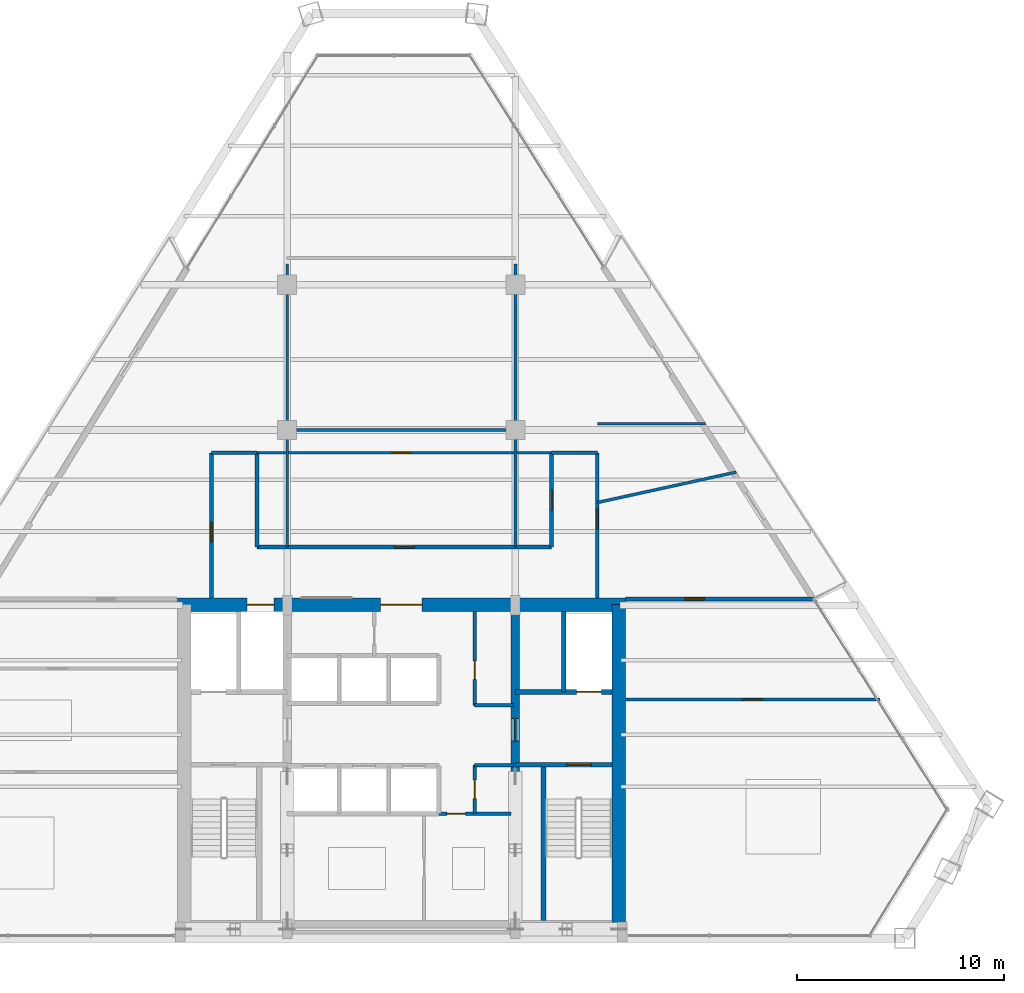
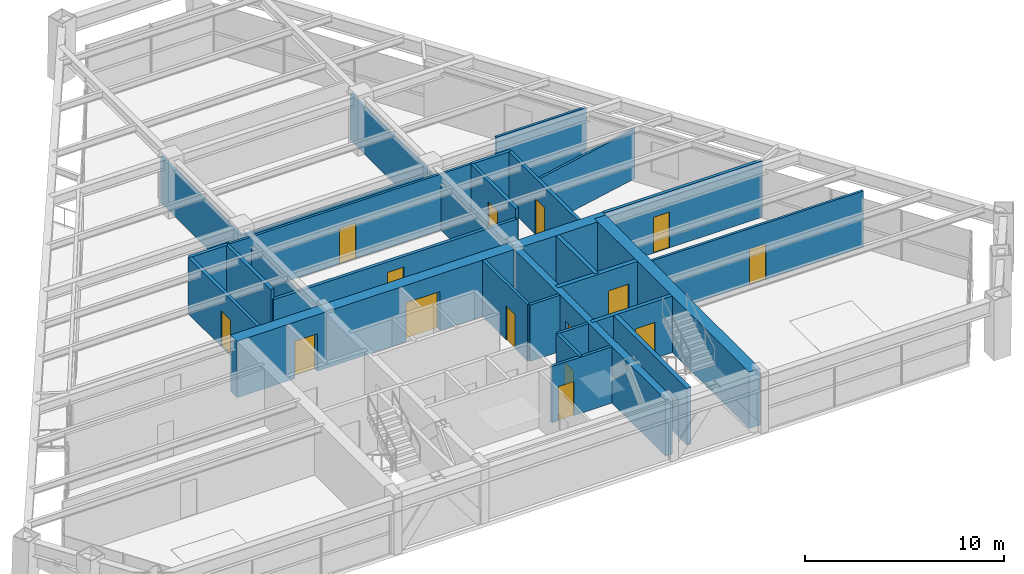
# One storey, part 12 of 15: 27 walls, 15 doors, 15 openings.
"""IFC4 building model written with IfcOpenShell, lengths in metres."""

import ifcopenshell
import ifcopenshell.guid

model = None  # the IFC model being written
_history = None  # IfcOwnerHistory: only IFC2X3 demands one
_inside = {}  # id of a spatial element -> (the spatial element, [elements in it])
_under = {}  # id of a project, library or spatial element -> (it, [spatial elements below it])
_declared = {}  # id of a project -> (the project, [libraries it declares])
_typed = {}  # id of a type object -> (the type object, [elements of that type])
_made_of = {}  # id of a material, layer set ... -> (it, [elements and type objects made of it])


def new_model(schema):
    """Start an empty IFC model of exactly this schema.

    Asked for "IFC4X3", IfcOpenShell would pick the latest addendum, in which some entities
    have other attributes; the version numbers below select the first issue.
    IFC2X3 requires an IfcOwnerHistory on every rooted entity: one is made here for all.
    """
    global model, _history
    if schema == "IFC4X3":
        model = ifcopenshell.file(schema_version=(4, 3, 0, 0))
    else:
        model = ifcopenshell.file(schema=schema)
    _inside.clear()
    _under.clear()
    _declared.clear()
    _typed.clear()
    _made_of.clear()
    _history = None
    if model.schema == "IFC2X3":
        org = make("IfcOrganization", Name="unknown")
        user = make(
            "IfcPersonAndOrganization",
            ThePerson=make("IfcPerson", FamilyName="unknown"),
            TheOrganization=org,
        )
        app = make(
            "IfcApplication",
            ApplicationDeveloper=org,
            Version="unknown",
            ApplicationFullName="unknown",
            ApplicationIdentifier="unknown",
        )
        _history = make(
            "IfcOwnerHistory",
            OwningUser=user,
            OwningApplication=app,
            ChangeAction="ADDED",
            CreationDate=0,
        )
    return model


def make(cls, **values):
    """One entity of the class cls with the attributes given. An attribute that is None is left unset."""
    return model.create_entity(
        cls, **{name: value for name, value in values.items() if value is not None}
    )


def rooted(cls, **values):
    """An entity with a GlobalId (a new one), such as an element, a storey or a relation."""
    return make(cls, GlobalId=ifcopenshell.guid.new(), OwnerHistory=_history, **values)


def si_unit(unit_type, name, prefix=None):
    """IfcSIUnit, for example si_unit("LENGTHUNIT", "METRE", prefix="MILLI")."""
    return make("IfcSIUnit", UnitType=unit_type, Prefix=prefix, Name=name)


def assignment(units):
    """IfcUnitAssignment: the units of a project."""
    return None if units is None else make("IfcUnitAssignment", Units=units)


def point(xyz):
    """IfcCartesianPoint."""
    return None if xyz is None else make("IfcCartesianPoint", Coordinates=xyz)


def direction(xyz):
    """IfcDirection."""
    return None if xyz is None else make("IfcDirection", DirectionRatios=xyz)


def frame(location, z_axis=None, x_axis=None):
    """IfcAxis2Placement3D, a coordinate frame: its origin and axes. An axis left out is left unset."""
    return make(
        "IfcAxis2Placement3D",
        Location=point(location),
        Axis=direction(z_axis),
        RefDirection=direction(x_axis),
    )


def frame_2d(location, x_axis=None):
    """IfcAxis2Placement2D, a coordinate frame in the plane: its origin and x axis."""
    return make(
        "IfcAxis2Placement2D", Location=point(location), RefDirection=direction(x_axis)
    )


def origin():
    """The frame at (0, 0, 0) with its axes left unset."""
    return frame((0.0, 0.0, 0.0))


def place(relative_to, where):
    """IfcLocalPlacement: puts the frame where relative to a parent placement (None: the world)."""
    return make(
        "IfcLocalPlacement", PlacementRelTo=relative_to, RelativePlacement=where
    )


def context(
    kind, dimensions, precision=None, world=None, true_north=None, identifier=None
):
    """IfcGeometricRepresentationContext, for example the 3D "Model" context."""
    return make(
        "IfcGeometricRepresentationContext",
        ContextIdentifier=identifier,
        ContextType=kind,
        CoordinateSpaceDimension=dimensions,
        Precision=precision,
        WorldCoordinateSystem=world,
        TrueNorth=true_north,
    )


def subcontext(parent, identifier, kind, view, scale=None):
    """IfcGeometricRepresentationSubContext, for example "Body" below "Model"."""
    return make(
        "IfcGeometricRepresentationSubContext",
        ContextIdentifier=identifier,
        ContextType=kind,
        ParentContext=parent,
        TargetScale=scale,
        TargetView=view,
    )


def project(units=None, contexts=None):
    """IfcProject with its units and contexts."""
    return rooted(
        "IfcProject",
        Name="project",
        RepresentationContexts=contexts,
        UnitsInContext=assignment(units),
    )


def spatial(cls, under=None, at=None, **own):
    """A site, building, storey or space (cls), placed at a placement, below another one or the project."""
    s = rooted(cls, ObjectPlacement=at, **own)
    if under is not None:
        _under.setdefault(under.id(), (under, []))[1].append(s)
    return s


def profile(cls, at=None, kind="AREA", **sizes):
    """A parametric profile (cls). Its sizes go by their IFC names, for example OverallWidth=200.0."""
    return make(cls, ProfileType=kind, Position=at, **sizes)


def rectangle(**sizes):
    """IfcRectangleProfileDef."""
    return profile("IfcRectangleProfileDef", **sizes)


def extrude(swept, where, along, depth):
    """IfcExtrudedAreaSolid: the profile swept, set in the frame where, extruded along a direction by depth."""
    return make(
        "IfcExtrudedAreaSolid",
        SweptArea=swept,
        Position=where,
        ExtrudedDirection=direction(along),
        Depth=depth,
    )


def shape(context_of_items, identifier, shape_type, items):
    """IfcShapeRepresentation: the items that make up one representation, for example the "Body"."""
    return make(
        "IfcShapeRepresentation",
        ContextOfItems=context_of_items,
        RepresentationIdentifier=identifier,
        RepresentationType=shape_type,
        Items=items,
    )


def source(mapping_origin, context_of_items, identifier, shape_type, items):
    """IfcRepresentationMap: a shape defined once, which mapped items show again and again."""
    return make(
        "IfcRepresentationMap",
        MappingOrigin=mapping_origin,
        MappedRepresentation=shape(context_of_items, identifier, shape_type, items),
    )


def transform(
    local_origin,
    x_axis=None,
    y_axis=None,
    z_axis=None,
    scale=None,
    scale2=None,
    scale3=None,
    uniform=True,
):
    """IfcCartesianTransformationOperator3D, or its non-uniform kind. x_axis, y_axis, z_axis: its Axis1, 2, 3."""
    if uniform:
        return make(
            "IfcCartesianTransformationOperator3D",
            Axis1=direction(x_axis),
            Axis2=direction(y_axis),
            LocalOrigin=point(local_origin),
            Scale=scale,
            Axis3=direction(z_axis),
        )
    return make(
        "IfcCartesianTransformationOperator3DnonUniform",
        Axis1=direction(x_axis),
        Axis2=direction(y_axis),
        LocalOrigin=point(local_origin),
        Scale=scale,
        Axis3=direction(z_axis),
        Scale2=scale2,
        Scale3=scale3,
    )


def mapped(mapping_source, mapping_target):
    """IfcMappedItem: shows the shape of a source again, moved by a transform."""
    return make(
        "IfcMappedItem", MappingSource=mapping_source, MappingTarget=mapping_target
    )


def material(Name=None, Category=None):
    """IfcMaterial."""
    return make("IfcMaterial", Name=Name, Category=Category)


def layer(
    of_material, thickness, ventilated=None, Name=None, Category=None, Priority=None
):
    """IfcMaterialLayer: one layer of a wall or slab, of a material (None: an air gap)."""
    return make(
        "IfcMaterialLayer",
        Material=of_material,
        LayerThickness=thickness,
        IsVentilated=ventilated,
        Name=Name,
        Category=Category,
        Priority=Priority,
    )


def layer_set(layers, Name=None):
    """IfcMaterialLayerSet."""
    return make("IfcMaterialLayerSet", MaterialLayers=layers, LayerSetName=Name)


def made_of(thing, what):
    """Note that an element or type object is made of a material, layer set ...; save() writes the relation."""
    if what is not None:
        _made_of.setdefault(what.id(), (what, []))[1].append(thing)
    return thing


def type_object(cls, material=None, **own):
    """A type object (cls), such as IfcWallType, which elements share."""
    return made_of(rooted(cls, **own), material)


def type_shapes(of_type, sources):
    """Give a type object the sources (RepresentationMaps) that its elements show as mapped items."""
    of_type.RepresentationMaps = sources


def element(
    cls,
    number,
    at=None,
    inside=None,
    cuts=None,
    type_object=None,
    material=None,
    context=None,
    identifier="Body",
    shape_type=None,
    held_by="IfcProductDefinitionShape",
    body=None,
    shapes=None,
    **own,
):
    """One element of the class cls, such as IfcWall. Its Tag is "e" and its number.

    at: its placement. inside: the storey or other place that contains it. cuts: it is an
    opening in that element (IfcRelVoidsElement). A single representation is given by context,
    identifier, shape_type and body (its items); several are given by shapes. held_by: the class
    of the entity that holds the representations. save() writes the other relations.
    """
    e = rooted(cls, Tag="e%d" % number, ObjectPlacement=at, **own)
    if body is not None:
        shapes = [shape(context, identifier, shape_type, body)]
    if shapes is not None:
        e.Representation = make(held_by, Representations=shapes)
    if inside is not None:
        _inside.setdefault(inside.id(), (inside, []))[1].append(e)
    if cuts is not None:
        rooted(
            "IfcRelVoidsElement", RelatingBuildingElement=cuts, RelatedOpeningElement=e
        )
    if type_object is not None:
        _typed.setdefault(type_object.id(), (type_object, []))[1].append(e)
    return made_of(e, material)


def fill(opening, filler):
    """IfcRelFillsElement: the door or window that sits in an opening."""
    return rooted(
        "IfcRelFillsElement",
        RelatingOpeningElement=opening,
        RelatedBuildingElement=filler,
    )


def aggregate(whole, parts):
    """IfcRelAggregates: a whole, such as a stair, and the parts it consists of."""
    return rooted("IfcRelAggregates", RelatingObject=whole, RelatedObjects=parts)


def save(model, path):
    """Write the relations noted so far, then the file.

    IfcRelAggregates (storeys below a building ...), IfcRelContainedInSpatialStructure (elements
    in a storey), IfcRelDefinesByType, IfcRelAssociatesMaterial and IfcRelDeclares: one each for
    every whole, place, type object, material and project.
    """
    for whole, parts in _under.values():
        aggregate(whole, parts)
    for where, things in _inside.values():
        rooted(
            "IfcRelContainedInSpatialStructure",
            RelatedElements=things,
            RelatingStructure=where,
        )
    for kind, things in _typed.values():
        rooted("IfcRelDefinesByType", RelatedObjects=things, RelatingType=kind)
    for what, things in _made_of.values():
        rooted("IfcRelAssociatesMaterial", RelatedObjects=things, RelatingMaterial=what)
    for by, libraries in _declared.values():
        rooted("IfcRelDeclares", RelatingContext=by, RelatedDefinitions=libraries)
    model.write(path)


model = new_model("IFC4")

# Units and contexts
model_context = context("Model", 3, precision=1e-05, world=origin(), true_north=direction((0.0, 1.0)))
body_context = subcontext(model_context, "Body", "Model", "MODEL_VIEW")
ifc_project = project(units=[si_unit("LENGTHUNIT", "METRE"), si_unit("AREAUNIT", "SQUARE_METRE"), si_unit("VOLUMEUNIT", "CUBIC_METRE"), si_unit("PLANEANGLEUNIT", "RADIAN"), si_unit("MASSUNIT", "GRAM", prefix="KILO")], contexts=[model_context])

# Site, building, storey
site_placement = place(None, origin())
site = spatial("IfcSite", under=ifc_project, at=site_placement, CompositionType="ELEMENT")
building_placement = place(site_placement, origin())
building = spatial("IfcBuilding", under=site, at=building_placement, Name="Varnakhor Terracotta Tower", CompositionType="ELEMENT")
storey_placement = place(building_placement, frame((0.0, 0.0, 193.199951171875)))
storey = spatial("IfcBuildingStorey", under=building, at=storey_placement, Name="L49", CompositionType="ELEMENT", Elevation=193.199951171875)

# Wall, openings, doors
ifc_material_1 = material(Name="Concrete C50/60", Category="concrete")
ifc_layer_1 = layer(ifc_material_1, 0.64990234375, Name="Concrete C50/60")
ifc_layer_set_1 = layer_set([ifc_layer_1], Name="Concrete C50/60")
wall_type_1 = type_object("IfcWallType", Name="WAL-CORE-650", PredefinedType="SHEAR", material=ifc_layer_set_1)
wall_1_placement = place(storey_placement, frame((-10.800048828125, 16.074951171875, 0.0), z_axis=(0.0, 0.0, 1.0), x_axis=(1.0, 0.0, 0.0)))
wall_1 = element("IfcWall", 1, at=wall_1_placement, inside=storey, type_object=wall_type_1, Name="L49 North Core Shear Wall", PredefinedType="SHEAR", context=body_context, shape_type="SweptSolid", body=[
    extrude(rectangle(XDim=21.60009765625, YDim=0.64990234375, at=frame_2d((10.800048828125, 0.0))), origin(), (0.0, 0.0, 1.0), 3.469970703125),
])
opening_1_placement = place(wall_1_placement, frame((3.3701171875, 0.0, 0.0)))
opening_1 = element("IfcOpeningElement", 2, at=opening_1_placement, cuts=wall_1, Name="Opening LD-03", PredefinedType="OPENING", context=body_context, shape_type="SweptSolid", body=[
    extrude(rectangle(XDim=1.300048828125, YDim=2.300048828125, at=frame_2d((0.64990234375, 1.14990234375))), frame((0.0, 0.3349609375, 0.0), z_axis=(0.0, -1.0, 0.0), x_axis=(1.0, 0.0, 0.0)), (0.0, 0.0, 1.0), 0.669921875),
])
opening_2_placement = place(wall_1_placement, frame((9.800048828125, 0.0, 0.0)))
opening_2 = element("IfcOpeningElement", 3, at=opening_2_placement, cuts=wall_1, Name="Opening DR-32", PredefinedType="OPENING", context=body_context, shape_type="SweptSolid", body=[
    extrude(rectangle(XDim=2.0, YDim=2.39990234375, at=frame_2d((1.0, 1.199951171875))), frame((0.0, 0.3349609375, 0.0), z_axis=(0.0, -1.0, 0.0), x_axis=(1.0, 0.0, 0.0)), (0.0, 0.0, 1.0), 0.669921875),
])
ifc_material_2 = material(Name="Heavy-Duty Goods Sliding Lift Landing Door", Category="steel")
door_type_1 = type_object("IfcDoorType", Name="LD-SRV-1300X2300", OperationType="NOTDEFINED", PredefinedType="DOOR", material=ifc_material_2)
shared_shape_1 = source(origin(), body_context, "Body", "SweptSolid", [
    extrude(rectangle(XDim=1.300048828125, YDim=2.300048828125, at=frame_2d((0.64990234375, 1.14990234375))), frame((0.0, 0.02490234375, 0.0), z_axis=(0.0, -1.0, 0.0), x_axis=(1.0, 0.0, 0.0)), (0.0, 0.0, 1.0), 0.050048828125),
])
type_shapes(door_type_1, [shared_shape_1])
door_1_placement = place(opening_1_placement, origin())
door_1 = element("IfcDoor", 4, at=door_1_placement, inside=storey, type_object=door_type_1, Name="L49 Service Lift SVL-1 Landing Door", OperationType="SLIDING_TO_RIGHT", OverallHeight=2.300048828125, OverallWidth=1.300048828125, PredefinedType="DOOR", context=body_context, shape_type="MappedRepresentation", body=[
    mapped(shared_shape_1, transform((0.0, 0.0, 0.0), scale=1.0)),
])
fill(opening_1, door_1)
ifc_material_3 = material(Name="Acoustic Double Assembly Fire Door", Category="wood")
door_type_2 = type_object("IfcDoorType", Name="DR-HALL-2000X2400", OperationType="NOTDEFINED", PredefinedType="DOOR", material=ifc_material_3)
shared_shape_2 = source(origin(), body_context, "Body", "SweptSolid", [
    extrude(rectangle(XDim=2.0, YDim=2.39990234375, at=frame_2d((1.0, 1.199951171875))), frame((0.0, 0.02490234375, 0.0), z_axis=(0.0, -1.0, 0.0), x_axis=(1.0, 0.0, 0.0)), (0.0, 0.0, 1.0), 0.050048828125),
])
type_shapes(door_type_2, [shared_shape_2])
door_2_placement = place(opening_2_placement, origin())
door_2 = element("IfcDoor", 5, at=door_2_placement, inside=storey, type_object=door_type_2, Name="L49 Core Main Lobby Double Door", OperationType="DOUBLE_DOOR_SINGLE_SWING", OverallHeight=2.39990234375, OverallWidth=2.0, PredefinedType="DOOR", context=body_context, shape_type="MappedRepresentation", body=[
    mapped(shared_shape_2, transform((0.0, 0.0, 0.0), scale=1.0)),
])
fill(opening_2, door_2)

# Wall
wall_2_placement = place(storey_placement, frame((10.47509765625, 0.52490234375, 0.0), z_axis=(0.0, 0.0, 1.0), x_axis=(0.0, 1.0, 0.0)))
element("IfcWall", 6, at=wall_2_placement, inside=storey, type_object=wall_type_1, Name="L49 East Core Shear Wall", PredefinedType="SHEAR", context=body_context, shape_type="SweptSolid", body=[
    extrude(rectangle(XDim=15.550048828125, YDim=0.64990234375, at=frame_2d((7.77490234375, 0.0))), origin(), (0.0, 0.0, 1.0), 3.469970703125),
])

# Wall, opening, door
ifc_layer_2 = layer(ifc_material_1, 0.39990234375, Name="Concrete C50/60")
ifc_layer_set_2 = layer_set([ifc_layer_2], Name="Concrete C50/60")
wall_type_2 = type_object("IfcWallType", Name="WAL-CORE-WEB-400", PredefinedType="SHEAR", material=ifc_layer_set_2)
wall_3_placement = place(storey_placement, frame((5.5, 0.52490234375, 0.0), z_axis=(0.0, 0.0, 1.0), x_axis=(0.0, 1.0, 0.0)))
wall_3 = element("IfcWall", 7, at=wall_3_placement, inside=storey, type_object=wall_type_2, Name="L49 East Core Web Shear Wall", PredefinedType="SHEAR", context=body_context, shape_type="SweptSolid", body=[
    extrude(rectangle(XDim=15.550048828125, YDim=0.39990234375, at=frame_2d((7.77490234375, 0.0))), origin(), (0.0, 0.0, 1.0), 3.469970703125),
])
opening_3_placement = place(wall_3_placement, frame((8.97509765625, 0.0, 0.0)))
opening_3 = element("IfcOpeningElement", 8, at=opening_3_placement, cuts=wall_3, Name="Opening DR-25", PredefinedType="OPENING", context=body_context, shape_type="SweptSolid", body=[
    extrude(rectangle(XDim=1.10009765625, YDim=2.199951171875, at=frame_2d((0.550048828125, 1.10009765625))), frame((0.0, 0.2099609375, 0.0), z_axis=(0.0, -1.0, 0.0), x_axis=(1.0, 0.0, 0.0)), (0.0, 0.0, 1.0), 0.419921875),
])
ifc_material_4 = material(Name="Firefighting Lobby Self-Closing Fire Door", Category="steel")
door_type_3 = type_object("IfcDoorType", Name="DR-FFL-1100X2200", OperationType="NOTDEFINED", PredefinedType="DOOR", material=ifc_material_4)
shared_shape_3 = source(origin(), body_context, "Body", "SweptSolid", [
    extrude(rectangle(XDim=1.10009765625, YDim=2.199951171875, at=frame_2d((0.550048828125, 1.10009765625))), frame((0.0, 0.02490234375, 0.0), z_axis=(0.0, -1.0, 0.0), x_axis=(1.0, 0.0, 0.0)), (0.0, 0.0, 1.0), 0.050048828125),
])
type_shapes(door_type_3, [shared_shape_3])
door_3_placement = place(opening_3_placement, origin())
door_3 = element("IfcDoor", 9, at=door_3_placement, inside=storey, type_object=door_type_3, Name="L49 East Firefighting Lobby Door", OperationType="SINGLE_SWING_LEFT", OverallHeight=2.199951171875, OverallWidth=1.10009765625, PredefinedType="DOOR", context=body_context, shape_type="MappedRepresentation", body=[
    mapped(shared_shape_3, transform((0.0, 0.0, 0.0), scale=1.0)),
])
fill(opening_3, door_3)

ifc_material_5 = material(Name="Fire-Rated Gypsum Stud Partition", Category="gypsum")
ifc_layer_3 = layer(ifc_material_5, 0.18505859375, Name="Fire-Rated Gypsum Stud Partition")
ifc_layer_set_3 = layer_set([ifc_layer_3], Name="Fire-Rated Gypsum Stud Partition")
wall_type_3 = type_object("IfcWallType", Name="WAL-CORR-185", PredefinedType="PARTITIONING", material=ifc_layer_set_3)
wall_4_placement = place(storey_placement, frame((-6.949951171875, 18.85009765625, 0.0), z_axis=(0.0, 0.0, 1.0), x_axis=(1.0, 0.0, 0.0)))
wall_4 = element("IfcWall", 10, at=wall_4_placement, inside=storey, type_object=wall_type_3, Name="L49 Central Gallery Link Wall", PredefinedType="PARTITIONING", context=body_context, shape_type="SweptSolid", body=[
    extrude(rectangle(XDim=14.199951171875, YDim=0.18505859375, at=frame_2d((7.10009765625, 0.0))), origin(), (0.0, 0.0, 1.0), 2.845947265625),
])
opening_4_placement = place(wall_4_placement, frame((6.625, 0.0, 0.0)))
opening_4 = element("IfcOpeningElement", 11, at=opening_4_placement, cuts=wall_4, Name="Opening DR-94", PredefinedType="OPENING", context=body_context, shape_type="SweptSolid", body=[
    extrude(rectangle(XDim=0.949951171875, YDim=2.199951171875, at=frame_2d((0.47509765625, 1.10009765625))), frame((0.0, 0.1025390625, 0.0), z_axis=(0.0, -1.0, 0.0), x_axis=(1.0, 0.0, 0.0)), (0.0, 0.0, 1.0), 0.205078125),
])
ifc_material_6 = material(Name="Acoustic Glazed-Vision Timber Office Door", Category="wood")
door_type_4 = type_object("IfcDoorType", Name="DR-OFF-950X2200", OperationType="NOTDEFINED", PredefinedType="DOOR", material=ifc_material_6)
shared_shape_4 = source(origin(), body_context, "Body", "SweptSolid", [
    extrude(rectangle(XDim=0.949951171875, YDim=2.199951171875, at=frame_2d((0.47509765625, 1.10009765625))), frame((0.0, 0.02490234375, 0.0), z_axis=(0.0, -1.0, 0.0), x_axis=(1.0, 0.0, 0.0)), (0.0, 0.0, 1.0), 0.050048828125),
])
type_shapes(door_type_4, [shared_shape_4])
door_4_placement = place(opening_4_placement, origin())
door_4 = element("IfcDoor", 12, at=door_4_placement, inside=storey, type_object=door_type_4, Name="L49 Center Suite Door", OperationType="SINGLE_SWING_LEFT", OverallHeight=2.199951171875, OverallWidth=0.949951171875, PredefinedType="DOOR", context=body_context, shape_type="MappedRepresentation", body=[
    mapped(shared_shape_4, transform((0.0, 0.0, 0.0), scale=1.0)),
])
fill(opening_4, door_4)

# Wall
wall_5_placement = place(storey_placement, frame((-6.949951171875, 18.85009765625, 0.0), z_axis=(0.0, 0.0, 1.0), x_axis=(0.0, 1.0, 0.0)))
element("IfcWall", 13, at=wall_5_placement, inside=storey, type_object=wall_type_3, Name="L49 West Gallery Inner Wall", PredefinedType="PARTITIONING", context=body_context, shape_type="SweptSolid", body=[
    extrude(rectangle(XDim=4.5498046875, YDim=0.18505859375, at=frame_2d((2.27490234375, 0.0))), origin(), (0.0, 0.0, 1.0), 3.462158203125),
])

# Wall, opening, door
wall_6_placement = place(storey_placement, frame((7.25, 18.85009765625, 0.0), z_axis=(0.0, 0.0, 1.0), x_axis=(0.0, 1.0, 0.0)))
wall_6 = element("IfcWall", 14, at=wall_6_placement, inside=storey, type_object=wall_type_3, Name="L49 East Gallery Inner Wall", PredefinedType="PARTITIONING", context=body_context, shape_type="SweptSolid", body=[
    extrude(rectangle(XDim=4.5498046875, YDim=0.18505859375, at=frame_2d((2.27490234375, 0.0))), origin(), (0.0, 0.0, 1.0), 3.462158203125),
])
opening_5_placement = place(wall_6_placement, frame((1.800048828125, 0.0, 0.0)))
opening_5 = element("IfcOpeningElement", 15, at=opening_5_placement, cuts=wall_6, Name="Opening DR-94", PredefinedType="OPENING", context=body_context, shape_type="SweptSolid", body=[
    extrude(rectangle(XDim=0.949951171875, YDim=2.199951171875, at=frame_2d((0.47509765625, 1.10009765625))), frame((0.0, 0.1025390625, 0.0), z_axis=(0.0, -1.0, 0.0), x_axis=(1.0, 0.0, 0.0)), (0.0, 0.0, 1.0), 0.205078125),
])
door_5_placement = place(opening_5_placement, origin())
door_5 = element("IfcDoor", 16, at=door_5_placement, inside=storey, type_object=door_type_4, Name="L49 Corporate Office 1 B9 Door", OperationType="SINGLE_SWING_RIGHT", OverallHeight=2.199951171875, OverallWidth=0.949951171875, PredefinedType="DOOR", context=body_context, shape_type="MappedRepresentation", body=[
    mapped(shared_shape_4, transform((0.0, 0.0, 0.0), scale=1.0)),
])
fill(opening_5, door_5)

wall_7_placement = place(storey_placement, frame((-9.14990234375, 16.39990234375, 0.0), z_axis=(0.0, 0.0, 1.0), x_axis=(0.0, 1.0, 0.0)))
wall_7 = element("IfcWall", 17, at=wall_7_placement, inside=storey, type_object=wall_type_3, Name="L49 West Gallery Outer Wall", PredefinedType="PARTITIONING", context=body_context, shape_type="SweptSolid", body=[
    extrude(rectangle(XDim=7.0, YDim=0.18505859375, at=frame_2d((3.5, 0.0))), origin(), (0.0, 0.0, 1.0), 3.462158203125),
])
opening_6_placement = place(wall_7_placement, frame((2.708984375, 0.0, 0.0)))
opening_6 = element("IfcOpeningElement", 18, at=opening_6_placement, cuts=wall_7, Name="Opening DR-94", PredefinedType="OPENING", context=body_context, shape_type="SweptSolid", body=[
    extrude(rectangle(XDim=0.949951171875, YDim=2.199951171875, at=frame_2d((0.47509765625, 1.10009765625))), frame((0.0, 0.1025390625, 0.0), z_axis=(0.0, -1.0, 0.0), x_axis=(1.0, 0.0, 0.0)), (0.0, 0.0, 1.0), 0.205078125),
])
door_6_placement = place(opening_6_placement, origin())
door_6 = element("IfcDoor", 19, at=door_6_placement, inside=storey, type_object=door_type_4, Name="L49 West Wing Door", OperationType="SINGLE_SWING_RIGHT", OverallHeight=2.199951171875, OverallWidth=0.949951171875, PredefinedType="DOOR", context=body_context, shape_type="MappedRepresentation", body=[
    mapped(shared_shape_4, transform((0.0, 0.0, 0.0), scale=1.0)),
])
fill(opening_6, door_6)

wall_8_placement = place(storey_placement, frame((9.449951171875, 16.39990234375, 0.0), z_axis=(0.0, 0.0, 1.0), x_axis=(0.0, 1.0, 0.0)))
wall_8 = element("IfcWall", 20, at=wall_8_placement, inside=storey, type_object=wall_type_3, Name="L49 East Gallery Outer Wall", PredefinedType="PARTITIONING", context=body_context, shape_type="SweptSolid", body=[
    extrude(rectangle(XDim=7.0, YDim=0.18505859375, at=frame_2d((3.5, 0.0))), origin(), (0.0, 0.0, 1.0), 3.462158203125),
])
opening_7_placement = place(wall_8_placement, frame((3.341064453125, 0.0, 0.0)))
opening_7 = element("IfcOpeningElement", 21, at=opening_7_placement, cuts=wall_8, Name="Opening DR-94", PredefinedType="OPENING", context=body_context, shape_type="SweptSolid", body=[
    extrude(rectangle(XDim=0.949951171875, YDim=2.199951171875, at=frame_2d((0.47509765625, 1.10009765625))), frame((0.0, 0.1025390625, 0.0), z_axis=(0.0, -1.0, 0.0), x_axis=(1.0, 0.0, 0.0)), (0.0, 0.0, 1.0), 0.205078125),
])
door_7_placement = place(opening_7_placement, origin())
door_7 = element("IfcDoor", 22, at=door_7_placement, inside=storey, type_object=door_type_4, Name="L49 East Wing Door", OperationType="SINGLE_SWING_LEFT", OverallHeight=2.199951171875, OverallWidth=0.949951171875, PredefinedType="DOOR", context=body_context, shape_type="MappedRepresentation", body=[
    mapped(shared_shape_4, transform((0.0, 0.0, 0.0), scale=1.0)),
])
fill(opening_7, door_7)

# Walls
for number, where, z_axis, x_axis, name in (
    (23, (-9.14990234375, 23.39990234375, 0.0), (0.0, 0.0, 1.0), (1.0, 0.0, 0.0), "L49 West Gallery North End"),
    (24, (7.25, 23.39990234375, 0.0), (0.0, 0.0, 1.0), (1.0, 0.0, 0.0), "L49 East Gallery North End"),
):
    element("IfcWall", number, at=place(storey_placement, frame(where, z_axis=z_axis, x_axis=x_axis)), inside=storey, type_object=wall_type_3, Name=name, PredefinedType="PARTITIONING", context=body_context, shape_type="SweptSolid", body=[
        extrude(rectangle(XDim=2.199951171875, YDim=0.18505859375, at=frame_2d((1.10009765625, 0.0))), origin(), (0.0, 0.0, 1.0), 3.462158203125),
    ])

# Wall, opening, door
wall_9_placement = place(storey_placement, frame((10.820068359375, 16.35009765625, 0.0), z_axis=(0.0, 0.0, 1.0), x_axis=(1.0, 0.0, 0.0)))
wall_9 = element("IfcWall", 25, at=wall_9_placement, inside=storey, type_object=wall_type_3, Name="L49 South East Entry Wall", PredefinedType="PARTITIONING", context=body_context, shape_type="SweptSolid", body=[
    extrude(rectangle(XDim=9.19873046875, YDim=0.18505859375, at=frame_2d((4.599365234375, 0.0))), origin(), (0.0, 0.0, 1.0), 3.462158203125),
])
opening_8_placement = place(wall_9_placement, frame((2.8466796875, 0.0, 0.0)))
opening_8 = element("IfcOpeningElement", 26, at=opening_8_placement, cuts=wall_9, Name="Opening DR-94", PredefinedType="OPENING", context=body_context, shape_type="SweptSolid", body=[
    extrude(rectangle(XDim=0.949951171875, YDim=2.199951171875, at=frame_2d((0.47509765625, 1.10009765625))), frame((0.0, 0.1025390625, 0.0), z_axis=(0.0, -1.0, 0.0), x_axis=(1.0, 0.0, 0.0)), (0.0, 0.0, 1.0), 0.205078125),
])
door_8_placement = place(opening_8_placement, origin())
door_8 = element("IfcDoor", 27, at=door_8_placement, inside=storey, type_object=door_type_4, Name="L49 SE Suite Door", OperationType="SINGLE_SWING_LEFT", OverallHeight=2.199951171875, OverallWidth=0.949951171875, PredefinedType="DOOR", context=body_context, shape_type="MappedRepresentation", body=[
    mapped(shared_shape_4, transform((0.0, 0.0, 0.0), scale=1.0)),
])
fill(opening_8, door_8)

ifc_material_7 = material(Name="Concrete C40/50", Category="concrete")
ifc_layer_4 = layer(ifc_material_7, 0.219970703125, Name="Concrete C40/50")
ifc_layer_set_4 = layer_set([ifc_layer_4], Name="Concrete C40/50")
wall_type_4 = type_object("IfcWallType", Name="WAL-FFLOBBY-220", PredefinedType="SOLIDWALL", material=ifc_layer_set_4)
wall_10_placement = place(storey_placement, frame((10.14990234375, 8.35009765625, 0.0), z_axis=(0.0, 0.0, 1.0), x_axis=(-1.0, 0.0, 0.0)))
wall_10 = element("IfcWall", 28, at=wall_10_placement, inside=storey, type_object=wall_type_4, Name="L49 East Firefighting Lobby Stair Wall", PredefinedType="SOLIDWALL", context=body_context, shape_type="SweptSolid", body=[
    extrude(rectangle(XDim=4.64990234375, YDim=0.219970703125, at=frame_2d((2.324951171875, 0.0))), origin(), (0.0, 0.0, 1.0), 3.469970703125),
])
opening_9_placement = place(wall_10_placement, frame((1.0, 0.0, 0.0)))
opening_9 = element("IfcOpeningElement", 29, at=opening_9_placement, cuts=wall_10, Name="Opening DR-34", PredefinedType="OPENING", context=body_context, shape_type="SweptSolid", body=[
    extrude(rectangle(XDim=1.14990234375, YDim=2.199951171875, at=frame_2d((0.574951171875, 1.10009765625))), frame((0.0, 0.1201171875, 0.0), z_axis=(0.0, -1.0, 0.0), x_axis=(1.0, 0.0, 0.0)), (0.0, 0.0, 1.0), 0.239990234375),
])
ifc_material_8 = material(Name="Self-Closing Smoke-Sealed Steel Fire Door", Category="steel")
door_type_5 = type_object("IfcDoorType", Name="DR-STAIR-1150X2200", OperationType="NOTDEFINED", PredefinedType="DOOR", material=ifc_material_8)
shared_shape_5 = source(origin(), body_context, "Body", "SweptSolid", [
    extrude(rectangle(XDim=1.14990234375, YDim=2.199951171875, at=frame_2d((0.574951171875, 1.10009765625))), frame((0.0, 0.02490234375, 0.0), z_axis=(0.0, -1.0, 0.0), x_axis=(1.0, 0.0, 0.0)), (0.0, 0.0, 1.0), 0.050048828125),
])
type_shapes(door_type_5, [shared_shape_5])
door_9_placement = place(opening_9_placement, origin())
door_9 = element("IfcDoor", 30, at=door_9_placement, inside=storey, type_object=door_type_5, Name="L49 Exit Stair ST-2 Fire Door", OperationType="SINGLE_SWING_RIGHT", OverallHeight=2.199951171875, OverallWidth=1.14990234375, PredefinedType="DOOR", context=body_context, shape_type="MappedRepresentation", body=[
    mapped(shared_shape_5, transform((0.0, 0.0, 0.0), scale=1.0)),
])
fill(opening_9, door_9)

ifc_material_9 = material(Name="Acoustic Metal-Stud Partition", Category="gypsum")
ifc_layer_5 = layer(ifc_material_9, 0.139892578125, Name="Acoustic Metal-Stud Partition")
ifc_layer_set_5 = layer_set([ifc_layer_5], Name="Acoustic Metal-Stud Partition")
wall_type_5 = type_object("IfcWallType", Name="WAL-PART-140", PredefinedType="PARTITIONING", material=ifc_layer_set_5)
wall_11_placement = place(storey_placement, frame((-6.949951171875, 23.39990234375, 0.0), z_axis=(0.0, 0.0, 1.0), x_axis=(1.0, 0.0, 0.0)))
wall_11 = element("IfcWall", 31, at=wall_11_placement, inside=storey, type_object=wall_type_5, Name="L49 Gallery Center Cap Wall", PredefinedType="PARTITIONING", context=body_context, shape_type="SweptSolid", body=[
    extrude(rectangle(XDim=14.199951171875, YDim=0.139892578125, at=frame_2d((7.10009765625, 0.0))), origin(), (0.0, 0.0, 1.0), 3.462158203125),
])
opening_10_placement = place(wall_11_placement, frame((6.482177734375, 0.0, 0.0)))
opening_10 = element("IfcOpeningElement", 32, at=opening_10_placement, cuts=wall_11, Name="Opening DR-94", PredefinedType="OPENING", context=body_context, shape_type="SweptSolid", body=[
    extrude(rectangle(XDim=0.949951171875, YDim=2.199951171875, at=frame_2d((0.47509765625, 1.10009765625))), frame((0.0, 0.080078125, 0.0), z_axis=(0.0, -1.0, 0.0), x_axis=(1.0, 0.0, 0.0)), (0.0, 0.0, 1.0), 0.159912109375),
])
door_10_placement = place(opening_10_placement, origin())
door_10 = element("IfcDoor", 33, at=door_10_placement, inside=storey, type_object=door_type_4, Name="L49 Dining Kitchen 1 Door", OperationType="SINGLE_SWING_LEFT", OverallHeight=2.199951171875, OverallWidth=0.949951171875, PredefinedType="DOOR", context=body_context, shape_type="MappedRepresentation", body=[
    mapped(shared_shape_4, transform((0.0, 0.0, 0.0), scale=1.0)),
])
fill(opening_10, door_10)

# Walls
for number, where, z_axis, x_axis, name in (
    (34, (-5.5, 18.85009765625, 0.0), (0.0, 0.0, 1.0), (0.0, 1.0, 0.0), "L49 Center West Column Wall"),
    (35, (5.5, 18.85009765625, 0.0), (0.0, 0.0, 1.0), (0.0, 1.0, 0.0), "L49 Center East Column Wall"),
):
    element("IfcWall", number, at=place(storey_placement, frame(where, z_axis=z_axis, x_axis=x_axis)), inside=storey, type_object=wall_type_5, Name=name, PredefinedType="PARTITIONING", context=body_context, shape_type="SweptSolid", body=[
        extrude(rectangle(XDim=13.64990234375, YDim=0.139892578125, at=frame_2d((6.824951171875, 0.0))), origin(), (0.0, 0.0, 1.0), 2.845947265625),
    ])
wall_12_placement = place(storey_placement, frame((-5.5, 24.5, 0.0), z_axis=(0.0, 0.0, 1.0), x_axis=(1.0, 0.0, 0.0)))
element("IfcWall", 36, at=wall_12_placement, inside=storey, type_object=wall_type_5, Name="L49 Center Cross Cut 1", PredefinedType="PARTITIONING", context=body_context, shape_type="SweptSolid", body=[
    extrude(rectangle(XDim=11.0, YDim=0.139892578125, at=frame_2d((5.5, 0.0))), origin(), (0.0, 0.0, 1.0), 2.845947265625),
])

# Wall, opening, door
wall_13_placement = place(storey_placement, frame((10.820068359375, 11.5, 0.0), z_axis=(0.0, 0.0, 1.0), x_axis=(1.0, 0.0, 0.0)))
wall_13 = element("IfcWall", 37, at=wall_13_placement, inside=storey, type_object=wall_type_5, Name="L49 East Wing Cut 1", PredefinedType="PARTITIONING", context=body_context, shape_type="SweptSolid", body=[
    extrude(rectangle(XDim=12.2666015625, YDim=0.139892578125, at=frame_2d((6.13330078125, 0.0))), origin(), (0.0, 0.0, 1.0), 3.462158203125),
])
opening_11_placement = place(wall_13_placement, frame((5.65087890625, 0.0, 0.0)))
opening_11 = element("IfcOpeningElement", 38, at=opening_11_placement, cuts=wall_13, Name="Opening DR-94", PredefinedType="OPENING", context=body_context, shape_type="SweptSolid", body=[
    extrude(rectangle(XDim=0.949951171875, YDim=2.199951171875, at=frame_2d((0.47509765625, 1.10009765625))), frame((0.0, 0.080078125, 0.0), z_axis=(0.0, -1.0, 0.0), x_axis=(1.0, 0.0, 0.0)), (0.0, 0.0, 1.0), 0.159912109375),
])
door_11_placement = place(opening_11_placement, origin())
door_11 = element("IfcDoor", 39, at=door_11_placement, inside=storey, type_object=door_type_4, Name="L49 Executive Club Office 1 SE Door", OperationType="SINGLE_SWING_RIGHT", OverallHeight=2.199951171875, OverallWidth=0.949951171875, PredefinedType="DOOR", context=body_context, shape_type="MappedRepresentation", body=[
    mapped(shared_shape_4, transform((0.0, 0.0, 0.0), scale=1.0)),
])
fill(opening_11, door_11)

# Walls
wall_14_placement = place(storey_placement, frame((9.449951171875, 21.0, 0.0), z_axis=(0.0, 0.0, 1.0), x_axis=(0.976862381204, 0.213868857455, 0.0)))
element("IfcWall", 40, at=wall_14_placement, inside=storey, type_object=wall_type_5, Name="L49 East Wing Cut 2", PredefinedType="PARTITIONING", context=body_context, shape_type="SweptSolid", body=[
    extrude(rectangle(XDim=6.8583984375, YDim=0.139892578125, at=frame_2d((3.42919921875, 0.0))), origin(), (0.0, 0.0, 1.0), 3.049072265625),
])
wall_15_placement = place(storey_placement, frame((9.449951171875, 24.800048828125, 0.0), z_axis=(0.0, 0.0, 1.0), x_axis=(1.0, 0.0, 0.0)))
element("IfcWall", 41, at=wall_15_placement, inside=storey, type_object=wall_type_5, Name="L49 East Wing Cut 3", PredefinedType="PARTITIONING", context=body_context, shape_type="SweptSolid", body=[
    extrude(rectangle(XDim=5.223876953125, YDim=0.139892578125, at=frame_2d((2.61181640625, 0.0))), origin(), (0.0, 0.0, 1.0), 3.462158203125),
])
ifc_layer_6 = layer(ifc_material_7, 0.219970703125, Name="Concrete C40/50")
ifc_layer_set_6 = layer_set([ifc_layer_6], Name="Concrete C40/50")
wall_type_6 = type_object("IfcWallType", Name="WAL-SHAFT-220", PredefinedType="SOLIDWALL", material=ifc_layer_set_6)
wall_16_placement = place(storey_placement, frame((7.840087890625, 11.8701171875, 0.0), z_axis=(0.0, 0.0, 1.0), x_axis=(0.0, 1.0, 0.0)))
element("IfcWall", 42, at=wall_16_placement, inside=storey, type_object=wall_type_6, Name="L49 Lift FFL-2 and Riser Divider Wall", PredefinedType="SOLIDWALL", context=body_context, shape_type="SweptSolid", body=[
    extrude(rectangle(XDim=3.8798828125, YDim=0.219970703125, at=frame_2d((1.93994140625, 0.0))), origin(), (0.0, 0.0, 1.0), 3.469970703125),
])
ifc_layer_7 = layer(ifc_material_7, 0.25, Name="Concrete C40/50")
ifc_layer_set_7 = layer_set([ifc_layer_7], Name="Concrete C40/50")
wall_type_7 = type_object("IfcWallType", Name="WAL-SHAFT-250", PredefinedType="SOLIDWALL", material=ifc_layer_set_7)
wall_17_placement = place(storey_placement, frame((6.85009765625, 0.85009765625, 0.0), z_axis=(0.0, 0.0, 1.0), x_axis=(0.0, 1.0, 0.0)))
element("IfcWall", 43, at=wall_17_placement, inside=storey, type_object=wall_type_7, Name="L49 Stair ST-2 Bearing Shaft Wall", PredefinedType="SOLIDWALL", context=body_context, shape_type="SweptSolid", body=[
    extrude(rectangle(XDim=7.5, YDim=0.25, at=frame_2d((3.75, 0.0))), origin(), (0.0, 0.0, 1.0), 3.469970703125),
])

# Wall, opening, door
wall_18_placement = place(storey_placement, frame((10.14990234375, 11.8701171875, 0.0), z_axis=(0.0, 0.0, 1.0), x_axis=(-1.0, 0.0, 0.0)))
wall_18 = element("IfcWall", 44, at=wall_18_placement, inside=storey, type_object=wall_type_7, Name="L49 Lift FFL-2 Shaft Front Wall", PredefinedType="SOLIDWALL", context=body_context, shape_type="SweptSolid", body=[
    extrude(rectangle(XDim=4.64990234375, YDim=0.25, at=frame_2d((2.324951171875, 0.0))), origin(), (0.0, 0.0, 1.0), 3.469970703125),
])
opening_12_placement = place(wall_18_placement, frame((0.5, 0.0, 0.0)))
opening_12 = element("IfcOpeningElement", 45, at=opening_12_placement, cuts=wall_18, Name="Opening LD-02", PredefinedType="OPENING", context=body_context, shape_type="SweptSolid", body=[
    extrude(rectangle(XDim=1.199951171875, YDim=2.25, at=frame_2d((0.60009765625, 1.125))), frame((0.0, 0.135009765625, 0.0), z_axis=(0.0, -1.0, 0.0), x_axis=(1.0, 0.0, 0.0)), (0.0, 0.0, 1.0), 0.27001953125),
])
ifc_material_10 = material(Name="Firefighting Stretcher Sliding Lift Landing Door", Category="steel")
door_type_6 = type_object("IfcDoorType", Name="LD-FFL-1200X2250", OperationType="NOTDEFINED", PredefinedType="DOOR", material=ifc_material_10)
shared_shape_6 = source(origin(), body_context, "Body", "SweptSolid", [
    extrude(rectangle(XDim=1.199951171875, YDim=2.25, at=frame_2d((0.60009765625, 1.125))), frame((0.0, 0.02490234375, 0.0), z_axis=(0.0, -1.0, 0.0), x_axis=(1.0, 0.0, 0.0)), (0.0, 0.0, 1.0), 0.050048828125),
])
type_shapes(door_type_6, [shared_shape_6])
door_12_placement = place(opening_12_placement, origin())
door_12 = element("IfcDoor", 46, at=door_12_placement, inside=storey, type_object=door_type_6, Name="L49 Firefighting Lift FFL-2 Landing Door", OperationType="SLIDING_TO_RIGHT", OverallHeight=2.25, OverallWidth=1.199951171875, PredefinedType="DOOR", context=body_context, shape_type="MappedRepresentation", body=[
    mapped(shared_shape_6, transform((0.0, 0.0, 0.0), scale=1.0)),
])
fill(opening_12, door_12)

ifc_material_11 = material(Name="Acoustic Fire-Rated Partition", Category="gypsum")
ifc_layer_8 = layer(ifc_material_11, 0.1650390625, Name="Acoustic Fire-Rated Partition")
ifc_layer_set_8 = layer_set([ifc_layer_8], Name="Acoustic Fire-Rated Partition")
wall_type_8 = type_object("IfcWallType", Name="WAL-TENANCY-165", PredefinedType="PARTITIONING", material=ifc_layer_set_8)
wall_19_placement = place(storey_placement, frame((1.820068359375, 6.0, 0.0), z_axis=(0.0, 0.0, 1.0), x_axis=(1.0, 0.0, 0.0)))
wall_19 = element("IfcWall", 47, at=wall_19_placement, inside=storey, type_object=wall_type_8, Name="L49 Reclaimed Core Bay North Rated Wall", PredefinedType="PARTITIONING", context=body_context, shape_type="SweptSolid", body=[
    extrude(rectangle(XDim=3.47998046875, YDim=0.1650390625, at=frame_2d((1.739990234375, 0.0))), origin(), (0.0, 0.0, 1.0), 3.462158203125),
])
opening_13_placement = place(wall_19_placement, frame((0.3798828125, 0.0, 0.0)))
opening_13 = element("IfcOpeningElement", 48, at=opening_13_placement, cuts=wall_19, Name="Opening DR-67", PredefinedType="OPENING", context=body_context, shape_type="SweptSolid", body=[
    extrude(rectangle(XDim=0.89990234375, YDim=2.10009765625, at=frame_2d((0.449951171875, 1.050048828125))), frame((0.0, 0.092529296875, 0.0), z_axis=(0.0, -1.0, 0.0), x_axis=(1.0, 0.0, 0.0)), (0.0, 0.0, 1.0), 0.18505859375),
])
ifc_material_12 = material(Name="Steel Service Riser Fire Door", Category="steel")
door_type_7 = type_object("IfcDoorType", Name="DR-RISER-900X2100", OperationType="NOTDEFINED", PredefinedType="DOOR", material=ifc_material_12)
shared_shape_7 = source(origin(), body_context, "Body", "SweptSolid", [
    extrude(rectangle(XDim=0.89990234375, YDim=2.10009765625, at=frame_2d((0.449951171875, 1.050048828125))), frame((0.0, 0.02490234375, 0.0), z_axis=(0.0, -1.0, 0.0), x_axis=(1.0, 0.0, 0.0)), (0.0, 0.0, 1.0), 0.050048828125),
])
type_shapes(door_type_7, [shared_shape_7])
door_13_placement = place(opening_13_placement, origin())
door_13 = element("IfcDoor", 49, at=door_13_placement, inside=storey, type_object=door_type_7, Name="L49 Core Reclaimed Suite Door", OperationType="SINGLE_SWING_RIGHT", OverallHeight=2.10009765625, OverallWidth=0.89990234375, PredefinedType="DOOR", context=body_context, shape_type="MappedRepresentation", body=[
    mapped(shared_shape_7, transform((0.0, 0.0, 0.0), scale=1.0)),
])
fill(opening_13, door_13)

wall_20_placement = place(storey_placement, frame((3.5400390625, 6.0, 0.0), z_axis=(0.0, 0.0, 1.0), x_axis=(0.0, 1.0, 0.0)))
wall_20 = element("IfcWall", 50, at=wall_20_placement, inside=storey, type_object=wall_type_8, Name="L49 Accessible WC Rated Wall", PredefinedType="PARTITIONING", context=body_context, shape_type="SweptSolid", body=[
    extrude(rectangle(XDim=2.340087890625, YDim=0.1650390625, at=frame_2d((1.169921875, 0.0))), origin(), (0.0, 0.0, 1.0), 3.462158203125),
])
opening_14_placement = place(wall_20_placement, frame((0.719970703125, 0.0, 0.0)))
opening_14 = element("IfcOpeningElement", 51, at=opening_14_placement, cuts=wall_20, Name="Opening DR-67", PredefinedType="OPENING", context=body_context, shape_type="SweptSolid", body=[
    extrude(rectangle(XDim=0.89990234375, YDim=2.10009765625, at=frame_2d((0.449951171875, 1.050048828125))), frame((0.0, 0.092529296875, 0.0), z_axis=(0.0, -1.0, 0.0), x_axis=(1.0, 0.0, 0.0)), (0.0, 0.0, 1.0), 0.18505859375),
])
door_14_placement = place(opening_14_placement, origin())
door_14 = element("IfcDoor", 52, at=door_14_placement, inside=storey, type_object=door_type_7, Name="L49 Accessible WC Door", OperationType="SINGLE_SWING_RIGHT", OverallHeight=2.10009765625, OverallWidth=0.89990234375, PredefinedType="DOOR", context=body_context, shape_type="MappedRepresentation", body=[
    mapped(shared_shape_7, transform((0.0, 0.0, 0.0), scale=1.0)),
])
fill(opening_14, door_14)

# Wall
wall_21_placement = place(storey_placement, frame((3.5400390625, 8.340087890625, 0.0), z_axis=(0.0, 0.0, 1.0), x_axis=(1.0, 0.0, 0.0)))
element("IfcWall", 53, at=wall_21_placement, inside=storey, type_object=wall_type_8, Name="L49 Accessible WC North Wall", PredefinedType="PARTITIONING", context=body_context, shape_type="SweptSolid", body=[
    extrude(rectangle(XDim=1.8798828125, YDim=0.1650390625, at=frame_2d((0.93994140625, 0.0))), origin(), (0.0, 0.0, 1.0), 3.462158203125),
])

# Wall, opening, door
wall_22_placement = place(storey_placement, frame((3.5400390625, 11.219970703125, 0.0), z_axis=(0.0, 0.0, 1.0), x_axis=(0.0, 1.0, 0.0)))
wall_22 = element("IfcWall", 54, at=wall_22_placement, inside=storey, type_object=wall_type_8, Name="L49 Restroom Corridor Wall", PredefinedType="PARTITIONING", context=body_context, shape_type="SweptSolid", body=[
    extrude(rectangle(XDim=4.530029296875, YDim=0.1650390625, at=frame_2d((2.26513671875, 0.0))), origin(), (0.0, 0.0, 1.0), 3.462158203125),
])
opening_15_placement = place(wall_22_placement, frame((1.25, 0.0, 0.0)))
opening_15 = element("IfcOpeningElement", 55, at=opening_15_placement, cuts=wall_22, Name="Opening DR-67", PredefinedType="OPENING", context=body_context, shape_type="SweptSolid", body=[
    extrude(rectangle(XDim=0.89990234375, YDim=2.10009765625, at=frame_2d((0.449951171875, 1.050048828125))), frame((0.0, 0.092529296875, 0.0), z_axis=(0.0, -1.0, 0.0), x_axis=(1.0, 0.0, 0.0)), (0.0, 0.0, 1.0), 0.18505859375),
])
door_15_placement = place(opening_15_placement, origin())
door_15 = element("IfcDoor", 56, at=door_15_placement, inside=storey, type_object=door_type_7, Name="L49 Female WC Door", OperationType="SINGLE_SWING_RIGHT", OverallHeight=2.10009765625, OverallWidth=0.89990234375, PredefinedType="DOOR", context=body_context, shape_type="MappedRepresentation", body=[
    mapped(shared_shape_7, transform((0.0, 0.0, 0.0), scale=1.0)),
])
fill(opening_15, door_15)

# Wall
wall_23_placement = place(storey_placement, frame((3.5400390625, 11.219970703125, 0.0), z_axis=(0.0, 0.0, 1.0), x_axis=(1.0, 0.0, 0.0)))
element("IfcWall", 57, at=wall_23_placement, inside=storey, type_object=wall_type_8, Name="L49 Restroom South Wall", PredefinedType="PARTITIONING", context=body_context, shape_type="SweptSolid", body=[
    extrude(rectangle(XDim=1.8798828125, YDim=0.1650390625, at=frame_2d((0.93994140625, 0.0))), origin(), (0.0, 0.0, 1.0), 3.462158203125),
])

save(model, "model.ifc")
